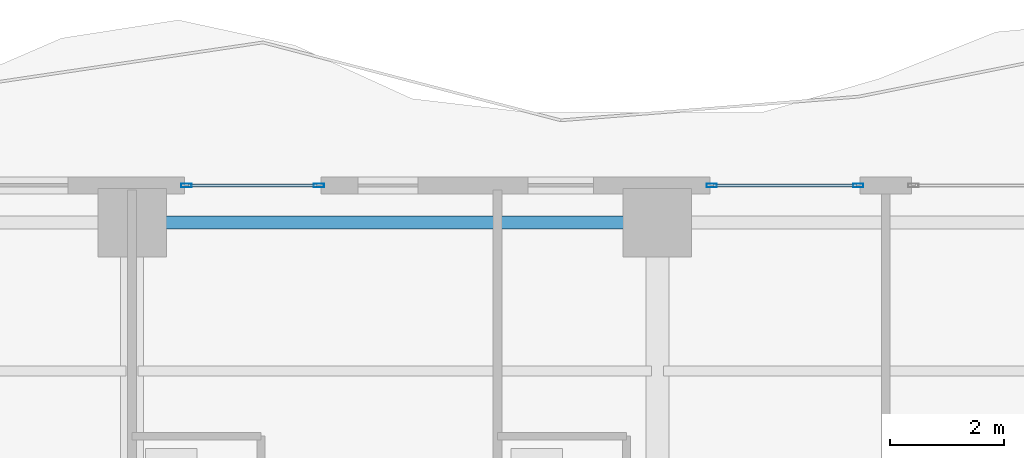
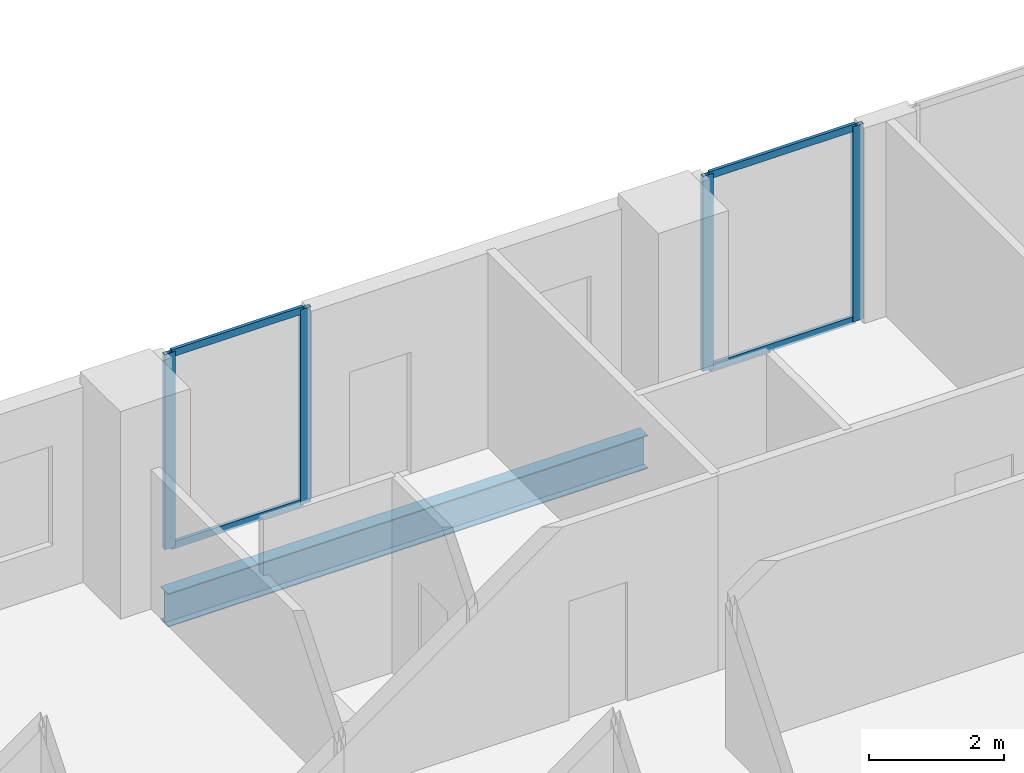
# One storey, part 19 of 32: 8 members, 1 beam, 2 elements without a shape of their own.
"""IFC4 building model written with IfcOpenShell, lengths in metres."""

from ifc_helpers import new_model, si_unit, direction, frame, origin, origin_2d, place, context, subcontext, project, spatial, hollow_rectangle, i_section, extrude, material, layer, layer_set, material_profile, profile_set, type_object, element, aggregate, save


model = new_model("IFC4")

# Units and contexts
model_context = context("Model", 3, precision=1e-05, world=origin(), true_north=direction((0.0, 1.0)))
body_context = subcontext(model_context, "Body", "Model", "MODEL_VIEW")
ifc_project = project(units=[si_unit("LENGTHUNIT", "METRE"), si_unit("AREAUNIT", "SQUARE_METRE"), si_unit("VOLUMEUNIT", "CUBIC_METRE"), si_unit("PLANEANGLEUNIT", "RADIAN"), si_unit("MASSUNIT", "GRAM", prefix="KILO")], contexts=[model_context])

# Site, building, storey
site_placement = place(None, origin())
site = spatial("IfcSite", under=ifc_project, at=site_placement, CompositionType="ELEMENT")
building_placement = place(site_placement, origin())
building = spatial("IfcBuilding", under=site, at=building_placement, Name="Zuhayl Quay Hotel", CompositionType="ELEMENT")
storey_placement = place(building_placement, frame((0.0, 0.0, 184.89990234375)))
storey = spatial("IfcBuildingStorey", under=building, at=storey_placement, Name="L46", CompositionType="ELEMENT", Elevation=184.89990234375)

# Beam
ifc_material_1 = material(Name="Steel ASTM A992 Grade 50", Category="steel")
ifc_material_profile_1 = material_profile(ifc_material_1, i_section(OverallWidth=0.22802734375, OverallDepth=0.60693359375, WebThickness=0.01123046875, FlangeThickness=0.017333984375, at=origin_2d()), Name="W24X76")
ifc_profile_set_1 = profile_set([ifc_material_profile_1], Name="Steel ASTM A992 Grade 50")
beam_type = type_object("IfcBeamType", Name="BM_B3_W24X76", PredefinedType="BEAM", material=ifc_profile_set_1)
beam_placement = place(storey_placement, frame((4.10009765625, 32.949951171875, -0.5234375), z_axis=(-1.0, 0.0, 0.0), x_axis=(0.0, -1.0, 0.0)))
element("IfcBeam", 1, at=beam_placement, inside=storey, type_object=beam_type, Name="L46 Floor Beam RG_L46_08", PredefinedType="BEAM", context=body_context, shape_type="SweptSolid", body=[
    extrude(i_section(OverallWidth=0.22802734375, OverallDepth=0.60693359375, WebThickness=0.01123046875, FlangeThickness=0.017333984375, at=origin_2d()), origin(), (0.0, 0.0, 1.0), 8.2001953125),
])

# Curtain wall, members
ifc_material_2 = material(Name="Anodised Aluminium 6063-T6", Category="aluminium")
ifc_layer = layer(ifc_material_2, 0.175048828125, Name="Anodised Aluminium 6063-T6", Category="aluminium")
ifc_layer_set = layer_set([ifc_layer], Name="Anodised Aluminium 6063-T6")
curtain_wall_type = type_object("IfcCurtainWallType", Name="CW_SYS_Z3", PredefinedType="USERDEFINED", material=ifc_layer_set)
curtain_wall_1_placement = place(storey_placement, origin())
curtain_wall_1 = element("IfcCurtainWall", 2, at=curtain_wall_1_placement, inside=storey, type_object=curtain_wall_type, Name="L46 Curtain Wall ENV_L46_N_CW2", ObjectType="UNITISED CURTAIN WALL", PredefinedType="USERDEFINED")
ifc_material_3 = material(Name="Black-anodised aluminium 6063-T6", Category="aluminium")
ifc_material_profile_2 = material_profile(ifc_material_3, hollow_rectangle(XDim=0.06494140625, YDim=0.179931640625, WallThickness=0.00341796875, at=origin_2d()), Name="ALU180X65")
ifc_profile_set_2 = profile_set([ifc_material_profile_2], Name="Black-anodised aluminium 6063-T6")
member_type_1 = type_object("IfcMemberType", Name="MB_CW_MUL_180", PredefinedType="MULLION", material=ifc_profile_set_2)
member_1_placement = place(storey_placement, frame((-3.6474609375, 33.60009765625, 0.0), z_axis=(0.0, 0.0, 1.0), x_axis=(0.0, 1.0, 0.0)))
member_1 = element("IfcMember", 3, at=member_1_placement, type_object=member_type_1, Name="CW-Z3 mullion 1", PredefinedType="MULLION", context=body_context, shape_type="SweptSolid", body=[
    extrude(hollow_rectangle(XDim=0.06494140625, YDim=0.179931640625, WallThickness=0.00341796875, at=origin_2d()), origin(), (0.0, 0.0, 1.0), 3.530029296875),
])
member_2_placement = place(storey_placement, frame((-1.327392578125, 33.60009765625, 0.0), z_axis=(0.0, 0.0, 1.0), x_axis=(0.0, 1.0, 0.0)))
member_2 = element("IfcMember", 4, at=member_2_placement, type_object=member_type_1, Name="CW-Z3 mullion 2", PredefinedType="MULLION", context=body_context, shape_type="SweptSolid", body=[
    extrude(hollow_rectangle(XDim=0.06494140625, YDim=0.179931640625, WallThickness=0.00341796875, at=origin_2d()), origin(), (0.0, 0.0, 1.0), 3.530029296875),
])

curtain_wall_2_placement = place(storey_placement, origin())
curtain_wall_2 = element("IfcCurtainWall", 5, at=curtain_wall_2_placement, inside=storey, type_object=curtain_wall_type, Name="L46 Curtain Wall ENV_L46_N_CW3", ObjectType="UNITISED CURTAIN WALL", PredefinedType="USERDEFINED")
member_3_placement = place(storey_placement, frame((5.552490234375, 33.60009765625, 0.0), z_axis=(0.0, 0.0, 1.0), x_axis=(0.0, 1.0, 0.0)))
member_3 = element("IfcMember", 6, at=member_3_placement, type_object=member_type_1, Name="CW-Z3 mullion 1", PredefinedType="MULLION", context=body_context, shape_type="SweptSolid", body=[
    extrude(hollow_rectangle(XDim=0.06494140625, YDim=0.179931640625, WallThickness=0.00341796875, at=origin_2d()), origin(), (0.0, 0.0, 1.0), 3.530029296875),
])
member_4_placement = place(storey_placement, frame((8.117431640625, 33.60009765625, 0.0), z_axis=(0.0, 0.0, 1.0), x_axis=(0.0, 1.0, 0.0)))
member_4 = element("IfcMember", 7, at=member_4_placement, type_object=member_type_1, Name="CW-Z3 mullion 2", PredefinedType="MULLION", context=body_context, shape_type="SweptSolid", body=[
    extrude(hollow_rectangle(XDim=0.06494140625, YDim=0.179931640625, WallThickness=0.00341796875, at=origin_2d()), origin(), (0.0, 0.0, 1.0), 3.530029296875),
])

# Member
ifc_material_profile_3 = material_profile(ifc_material_3, hollow_rectangle(XDim=0.054931640625, YDim=0.1298828125, WallThickness=0.0029296875, at=origin_2d()), Name="ALU130X55")
ifc_profile_set_3 = profile_set([ifc_material_profile_3], Name="Black-anodised aluminium 6063-T6")
member_type_2 = type_object("IfcMemberType", Name="MB_CW_TRN_130", PredefinedType="USERDEFINED", material=ifc_profile_set_3)
member_5_placement = place(storey_placement, frame((-3.614990234375, 33.60009765625, 0.027587890625), z_axis=(1.0, 0.0, 0.0), x_axis=(0.0, 1.0, 0.0)))
member_5 = element("IfcMember", 8, at=member_5_placement, type_object=member_type_2, Name="CW-Z3 transom 1.1", ObjectType="TRANSOM", PredefinedType="USERDEFINED", context=body_context, shape_type="SweptSolid", body=[
    extrude(hollow_rectangle(XDim=0.054931640625, YDim=0.1298828125, WallThickness=0.0029296875, at=origin_2d()), origin(), (0.0, 0.0, 1.0), 2.2548828125),
])

member_6_placement = place(storey_placement, frame((-3.614990234375, 33.60009765625, 3.502685546875), z_axis=(1.0, 0.0, 0.0), x_axis=(0.0, 1.0, 0.0)))
member_6 = element("IfcMember", 9, at=member_6_placement, type_object=member_type_2, Name="CW-Z3 transom 1.2", ObjectType="TRANSOM", PredefinedType="USERDEFINED", context=body_context, shape_type="SweptSolid", body=[
    extrude(hollow_rectangle(XDim=0.054931640625, YDim=0.1298828125, WallThickness=0.0029296875, at=origin_2d()), origin(), (0.0, 0.0, 1.0), 2.2548828125),
])

aggregate(curtain_wall_1, [member_1, member_2, member_5, member_6])

member_7_placement = place(storey_placement, frame((5.5849609375, 33.60009765625, 0.027587890625), z_axis=(1.0, 0.0, 0.0), x_axis=(0.0, 1.0, 0.0)))
member_7 = element("IfcMember", 10, at=member_7_placement, type_object=member_type_2, Name="CW-Z3 transom 1.1", ObjectType="TRANSOM", PredefinedType="USERDEFINED", context=body_context, shape_type="SweptSolid", body=[
    extrude(hollow_rectangle(XDim=0.054931640625, YDim=0.1298828125, WallThickness=0.0029296875, at=origin_2d()), origin(), (0.0, 0.0, 1.0), 2.5),
])

member_8_placement = place(storey_placement, frame((5.5849609375, 33.60009765625, 3.502685546875), z_axis=(1.0, 0.0, 0.0), x_axis=(0.0, 1.0, 0.0)))
member_8 = element("IfcMember", 11, at=member_8_placement, type_object=member_type_2, Name="CW-Z3 transom 1.2", ObjectType="TRANSOM", PredefinedType="USERDEFINED", context=body_context, shape_type="SweptSolid", body=[
    extrude(hollow_rectangle(XDim=0.054931640625, YDim=0.1298828125, WallThickness=0.0029296875, at=origin_2d()), origin(), (0.0, 0.0, 1.0), 2.5),
])

aggregate(curtain_wall_2, [member_3, member_4, member_7, member_8])

save(model, "model.ifc")
